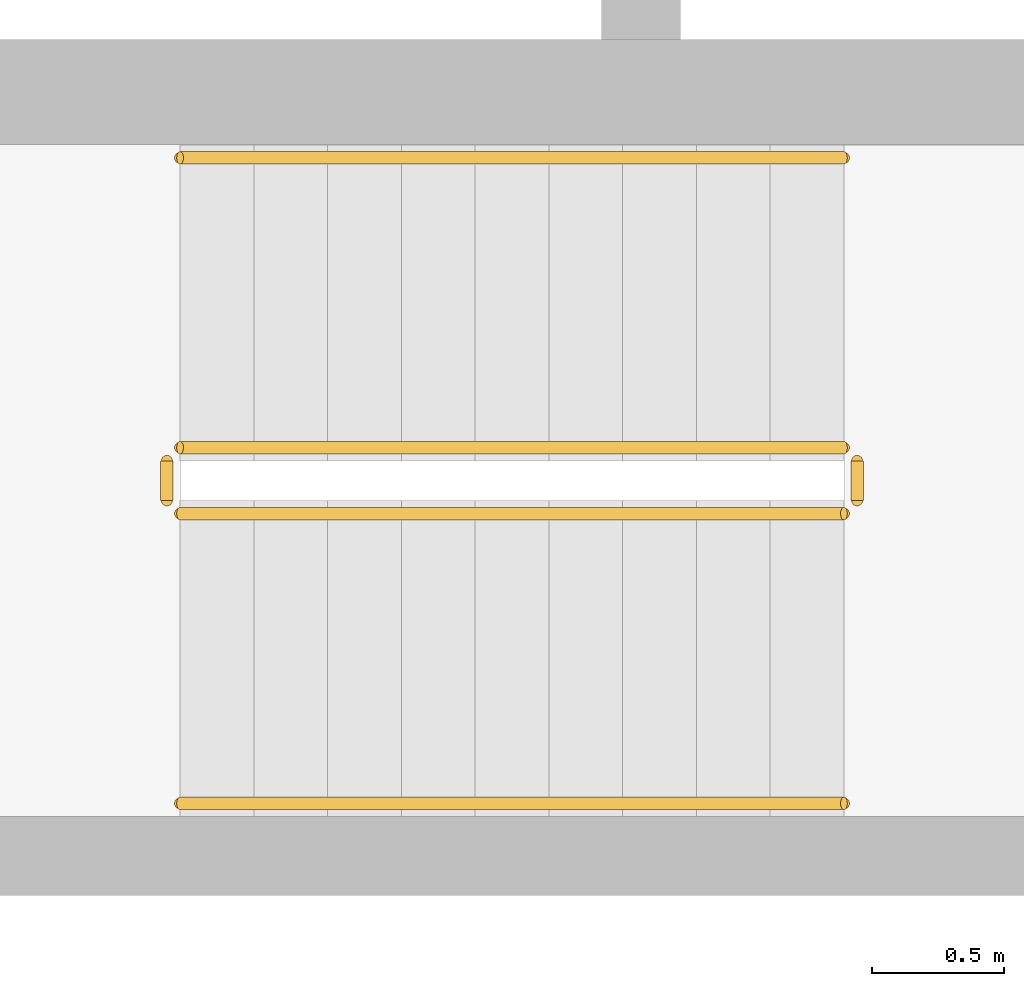
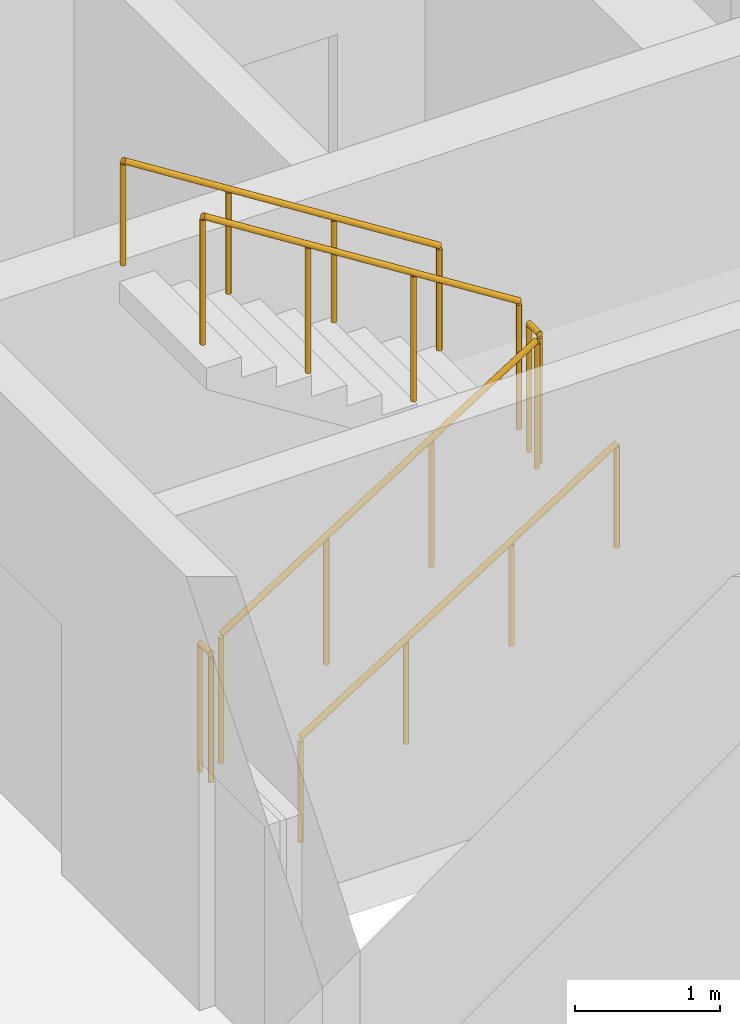
# One storey, part 14 of 16: 6 railings.
"""IFC4 building model written with IfcOpenShell, lengths in metres."""

from ifc_helpers import new_model, si_unit, direction, frame, origin, origin_2d, place, context, subcontext, project, spatial, circle, extrude, material, type_object, element, save


model = new_model("IFC4")

# Units and contexts
model_context = context("Model", 3, precision=1e-05, world=origin(), true_north=direction((0.0, 1.0)))
body_context = subcontext(model_context, "Body", "Model", "MODEL_VIEW")
ifc_project = project(units=[si_unit("LENGTHUNIT", "METRE"), si_unit("AREAUNIT", "SQUARE_METRE"), si_unit("VOLUMEUNIT", "CUBIC_METRE"), si_unit("PLANEANGLEUNIT", "RADIAN"), si_unit("MASSUNIT", "GRAM", prefix="KILO")], contexts=[model_context])

# Site, building, storey
site_placement = place(None, origin())
site = spatial("IfcSite", under=ifc_project, at=site_placement, CompositionType="ELEMENT")
building_placement = place(site_placement, origin())
building = spatial("IfcBuilding", under=site, at=building_placement, Name="Ostrand Prow Hotel Tower", CompositionType="ELEMENT")
storey_placement = place(building_placement, frame((0.0, 0.0, 224.35009765625)))
storey = spatial("IfcBuildingStorey", under=building, at=storey_placement, Name="L56", CompositionType="ELEMENT", Elevation=224.35009765625)

# Railings
ifc_material_1 = material(Name="Painted steel", Category="steel")
railing_type_1 = type_object("IfcRailingType", Name="Stair guard 1100", PredefinedType="GUARDRAIL", material=ifc_material_1)
railing_1_placement = place(storey_placement, frame((57.199951171875, -11.75, 0.177490234375)))
element("IfcRailing", 1, at=railing_1_placement, inside=storey, type_object=railing_type_1, Name="L56 ST2C stair guard 1", PredefinedType="GUARDRAIL", context=body_context, shape_type="SweptSolid", body=[
    extrude(circle(Radius=0.02392578125, at=origin_2d()), frame((0.0, 0.0, 1.076171875), z_axis=(0.84460694969, 0.0, 0.535386869969), x_axis=(0.0, 1.0, 0.0)), (0.0, 0.0, 1.0), 2.983642578125),
    extrude(circle(Radius=0.02099609375, at=origin_2d()), origin(), (0.0, 0.0, 1.0), 1.052001953125),
    extrude(circle(Radius=0.02099609375, at=origin_2d()), frame((0.840087890625, 0.0, 0.532470703125)), (0.0, 0.0, 1.0), 1.052001953125),
    extrude(circle(Radius=0.02099609375, at=origin_2d()), frame((1.679931640625, 0.0, 1.06494140625)), (0.0, 0.0, 1.0), 1.052001953125),
    extrude(circle(Radius=0.02099609375, at=origin_2d()), frame((2.52001953125, 0.0, 1.597412109375)), (0.0, 0.0, 1.0), 1.052001953125),
])
railing_2_placement = place(storey_placement, frame((59.77001953125, -11.699951171875, 1.77490234375)))
element("IfcRailing", 2, at=railing_2_placement, inside=storey, type_object=railing_type_1, Name="L56 ST2C stair guard 2", PredefinedType="GUARDRAIL", context=body_context, shape_type="SweptSolid", body=[
    extrude(circle(Radius=0.02392578125, at=origin_2d()), frame((0.0, 0.0, 1.076171875), z_axis=(0.0, 1.0, 0.0), x_axis=(-1.0, 0.0, 0.0)), (0.0, 0.0, 1.0), 0.14990234375),
    extrude(circle(Radius=0.02099609375, at=origin_2d()), origin(), (0.0, 0.0, 1.0), 1.052001953125),
    extrude(circle(Radius=0.02099609375, at=origin_2d()), frame((0.0, 0.14990234375, 0.0)), (0.0, 0.0, 1.0), 1.052001953125),
])
railing_3_placement = place(storey_placement, frame((59.719970703125, -11.5, 1.952392578125)))
element("IfcRailing", 3, at=railing_3_placement, inside=storey, type_object=railing_type_1, Name="L56 ST2C stair guard 3", PredefinedType="GUARDRAIL", context=body_context, shape_type="SweptSolid", body=[
    extrude(circle(Radius=0.02392578125, at=origin_2d()), frame((0.0, 0.0, 1.076171875), z_axis=(-0.84460694969, 0.0, 0.535386869969), x_axis=(0.0, -1.0, 0.0)), (0.0, 0.0, 1.0), 2.983642578125),
    extrude(circle(Radius=0.02099609375, at=origin_2d()), origin(), (0.0, 0.0, 1.0), 1.052001953125),
    extrude(circle(Radius=0.02099609375, at=origin_2d()), frame((-0.840087890625, 0.0, 0.532470703125)), (0.0, 0.0, 1.0), 1.052001953125),
    extrude(circle(Radius=0.02099609375, at=origin_2d()), frame((-1.679931640625, 0.0, 1.06494140625)), (0.0, 0.0, 1.0), 1.052001953125),
    extrude(circle(Radius=0.02099609375, at=origin_2d()), frame((-2.52001953125, 0.0, 1.597412109375)), (0.0, 0.0, 1.0), 1.052001953125),
])
railing_4_placement = place(storey_placement, frame((57.14990234375, -11.699951171875, 0.0)))
element("IfcRailing", 4, at=railing_4_placement, inside=storey, type_object=railing_type_1, Name="L56 ST2C stair guard 4", PredefinedType="GUARDRAIL", context=body_context, shape_type="SweptSolid", body=[
    extrude(circle(Radius=0.02392578125, at=origin_2d()), frame((0.0, 0.0, 1.076171875), z_axis=(0.0, 1.0, 0.0), x_axis=(-1.0, 0.0, 0.0)), (0.0, 0.0, 1.0), 0.14990234375),
    extrude(circle(Radius=0.02099609375, at=origin_2d()), origin(), (0.0, 0.0, 1.0), 1.052001953125),
    extrude(circle(Radius=0.02099609375, at=origin_2d()), frame((0.0, 0.14990234375, 0.0)), (0.0, 0.0, 1.0), 1.052001953125),
])
ifc_material_2 = material(Name="Stainless steel", Category="steel")
railing_type_2 = type_object("IfcRailingType", Name="Stair handrail 900", PredefinedType="HANDRAIL", material=ifc_material_2)
railing_5_placement = place(storey_placement, frame((57.199951171875, -12.85009765625, 0.177490234375)))
element("IfcRailing", 5, at=railing_5_placement, inside=storey, type_object=railing_type_2, Name="L56 ST2C stair handrail 1", PredefinedType="HANDRAIL", context=body_context, shape_type="SweptSolid", body=[
    extrude(circle(Radius=0.02392578125, at=origin_2d()), frame((0.0, 0.0, 0.8759765625), z_axis=(0.84460694969, 0.0, 0.535386869969), x_axis=(0.0, 1.0, 0.0)), (0.0, 0.0, 1.0), 2.983642578125),
    extrude(circle(Radius=0.02099609375, at=origin_2d()), origin(), (0.0, 0.0, 1.0), 0.851806640625),
    extrude(circle(Radius=0.02099609375, at=origin_2d()), frame((0.840087890625, 0.0, 0.532470703125)), (0.0, 0.0, 1.0), 0.851806640625),
    extrude(circle(Radius=0.02099609375, at=origin_2d()), frame((1.679931640625, 0.0, 1.06494140625)), (0.0, 0.0, 1.0), 0.851806640625),
    extrude(circle(Radius=0.02099609375, at=origin_2d()), frame((2.52001953125, 0.0, 1.597412109375)), (0.0, 0.0, 1.0), 0.851806640625),
])
railing_6_placement = place(storey_placement, frame((59.719970703125, -10.39990234375, 1.952392578125)))
element("IfcRailing", 6, at=railing_6_placement, inside=storey, type_object=railing_type_2, Name="L56 ST2C stair handrail 2", PredefinedType="HANDRAIL", context=body_context, shape_type="SweptSolid", body=[
    extrude(circle(Radius=0.02392578125, at=origin_2d()), frame((0.0, 0.0, 0.8759765625), z_axis=(-0.84460694969, 0.0, 0.535386869969), x_axis=(0.0, -1.0, 0.0)), (0.0, 0.0, 1.0), 2.983642578125),
    extrude(circle(Radius=0.02099609375, at=origin_2d()), origin(), (0.0, 0.0, 1.0), 0.851806640625),
    extrude(circle(Radius=0.02099609375, at=origin_2d()), frame((-0.840087890625, 0.0, 0.532470703125)), (0.0, 0.0, 1.0), 0.851806640625),
    extrude(circle(Radius=0.02099609375, at=origin_2d()), frame((-1.679931640625, 0.0, 1.06494140625)), (0.0, 0.0, 1.0), 0.851806640625),
    extrude(circle(Radius=0.02099609375, at=origin_2d()), frame((-2.52001953125, 0.0, 1.597412109375)), (0.0, 0.0, 1.0), 0.851806640625),
])

save(model, "model.ifc")
